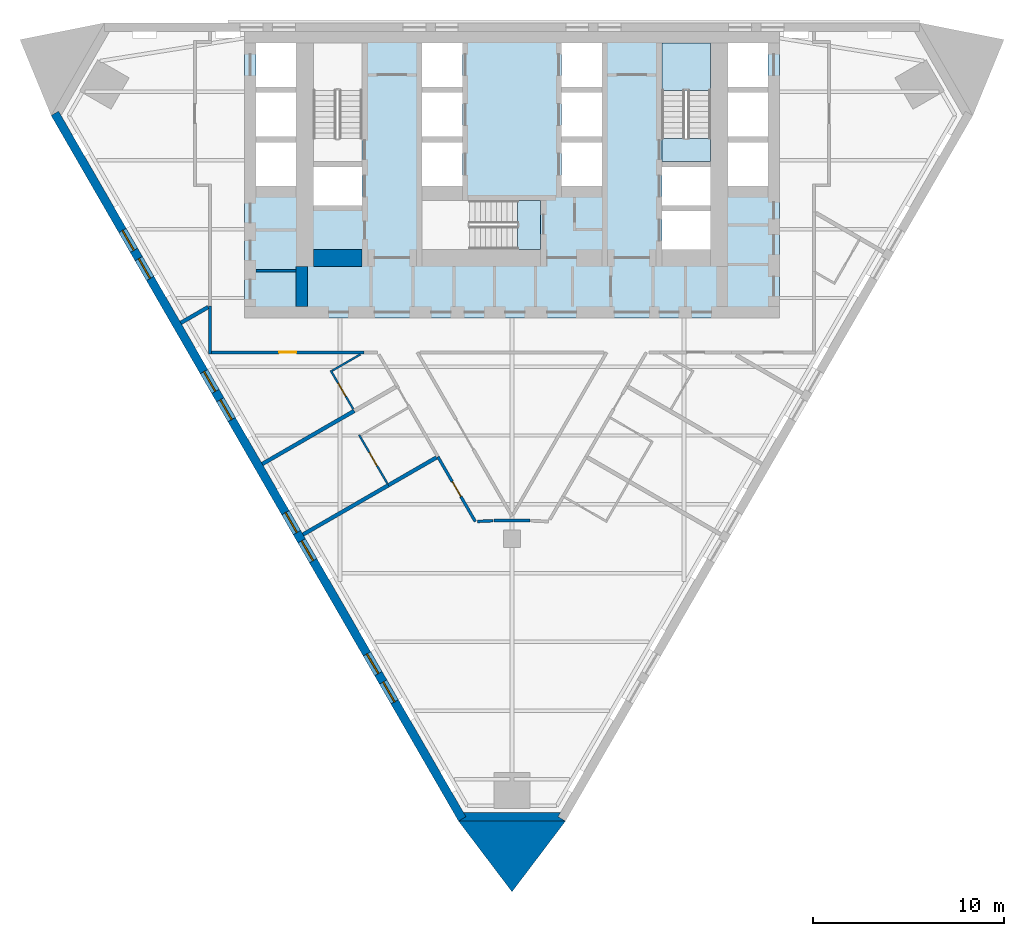
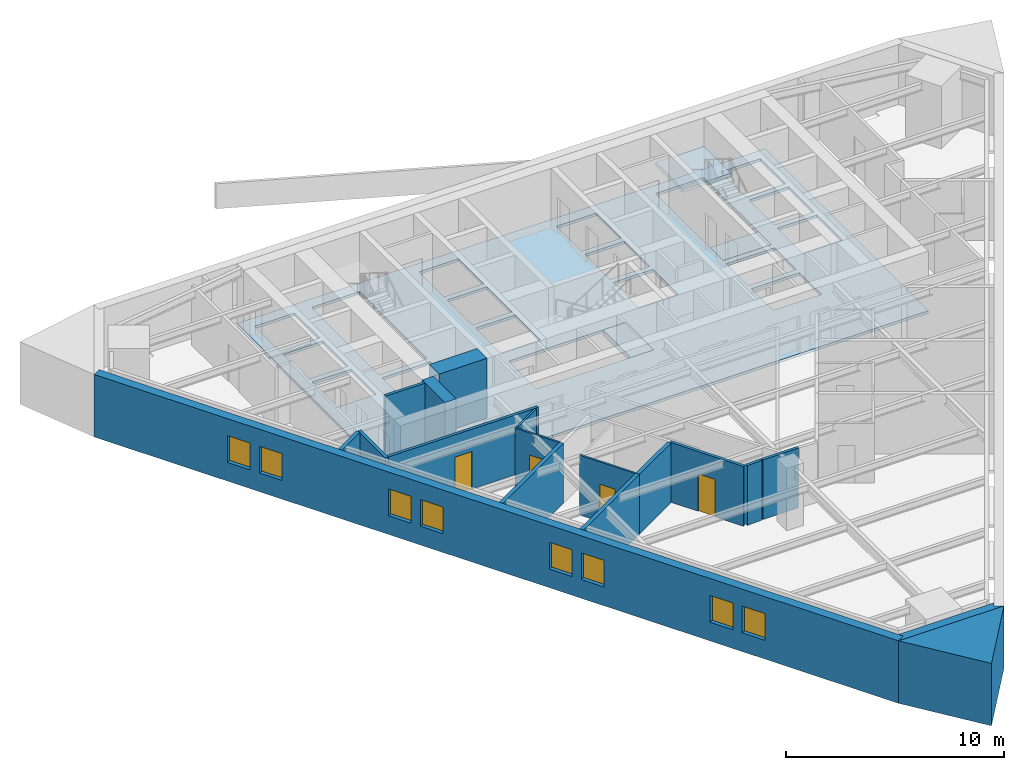
# One storey, part 2 of 10: 18 walls, 8 windows, 4 doors, 4 slabs, 12 openings, 1 element without a shape of its own.
"""IFC4 building model written with IfcOpenShell, lengths in metres."""

from ifc_helpers import new_model, si_unit, direction, frame, frame_2d, origin, place, context, subcontext, project, spatial, polyline, rectangle, outline, extrude, material, layer, layer_set, type_object, element, fill, aggregate, save


model = new_model("IFC4")

# Units and contexts
model_context = context("Model", 3, precision=1e-05, world=origin(), true_north=direction((0.0, 1.0)))
body_context = subcontext(model_context, "Body", "Model", "MODEL_VIEW")
ifc_project = project(units=[si_unit("LENGTHUNIT", "METRE"), si_unit("AREAUNIT", "SQUARE_METRE"), si_unit("VOLUMEUNIT", "CUBIC_METRE"), si_unit("PLANEANGLEUNIT", "RADIAN"), si_unit("MASSUNIT", "GRAM", prefix="KILO")], contexts=[model_context])

# Site, building, storey
site_placement = place(None, origin())
site = spatial("IfcSite", under=ifc_project, at=site_placement, CompositionType="ELEMENT")
building_placement = place(site_placement, origin())
building = spatial("IfcBuilding", under=site, at=building_placement, Name="Aloe Facet Convention Tower", CompositionType="ELEMENT")
storey_placement = place(building_placement, frame((0.0, 0.0, 85.300048828125)))
storey = spatial("IfcBuildingStorey", under=building, at=storey_placement, Name="L20", CompositionType="ELEMENT", Elevation=85.300048828125)

# Slabs
ifc_material_1 = material(Name="Concrete C70/85", Category="concrete")
ifc_layer_1 = layer(ifc_material_1, 0.14990234375)
ifc_layer_set_1 = layer_set([ifc_layer_1], Name="CR-S-FLOOR150-C7085")
slab_type_1 = type_object("IfcSlabType", Name="CR-S-FLOOR150-C7085", PredefinedType="FLOOR", material=ifc_layer_set_1)
slab_1_placement = place(storey_placement, frame((0.0, 0.0, -0.150146484375)))
element("IfcSlab", 1, at=slab_1_placement, inside=storey, type_object=slab_type_1, Name="Core floor L20", PredefinedType="FLOOR", context=body_context, shape_type="SweptSolid", body=[
    extrude(outline(polyline([(69.300048828125, 134.550048828125), (71.85009765625, 134.550048828125), (72.75, 134.550048828125), (74.699951171875, 134.550048828125), (75.60009765625, 134.550048828125), (77.10009765625, 134.550048828125), (78.0, 134.550048828125), (82.0, 134.550048828125), (82.89990234375, 134.550048828125), (84.39990234375, 134.550048828125), (85.300048828125, 134.550048828125), (87.25, 134.550048828125), (88.14990234375, 134.550048828125), (90.699951171875, 134.550048828125), (91.0, 134.550048828125), (94.0, 134.550048828125), (94.0, 131.949951171875), (94.0, 131.050048828125), (94.0, 129.35009765625), (94.0, 128.449951171875), (94.0, 126.449951171875), (94.0, 125.85009765625), (94.0, 124.949951171875), (94.0, 123.89990234375), (94.0, 122.871337890625), (94.0, 121.821533203125), (94.0, 119.550048828125), (91.300048828125, 119.550048828125), (90.699951171875, 119.550048828125), (89.60009765625, 119.550048828125), (88.550048828125, 119.550048828125), (87.89990234375, 119.550048828125), (86.85009765625, 119.550048828125), (85.699951171875, 119.550048828125), (84.64990234375, 119.550048828125), (83.699951171875, 119.550048828125), (82.64990234375, 119.550048828125), (81.75, 119.550048828125), (80.699951171875, 119.550048828125), (79.61669921875, 119.550048828125), (78.566650390625, 119.550048828125), (77.4833984375, 119.550048828125), (76.433349609375, 119.550048828125), (75.35009765625, 119.550048828125), (74.300048828125, 119.550048828125), (73.14990234375, 119.550048828125), (72.10009765625, 119.550048828125), (69.300048828125, 119.550048828125), (68.699951171875, 119.550048828125), (66.0, 119.550048828125), (66.0, 121.5), (66.0, 122.550048828125), (66.0, 123.639404296875), (66.0, 124.689453125), (66.0, 125.85009765625), (66.0, 126.449951171875), (66.0, 128.449951171875), (66.0, 129.35009765625), (66.0, 131.050048828125), (66.0, 131.949951171875), (66.0, 134.550048828125), (69.0, 134.550048828125), (69.300048828125, 134.550048828125)]), holes=[polyline([(75.300048828125, 123.14990234375), (80.298828125, 123.14990234375), (81.5, 123.14990234375), (81.5, 125.699951171875), (80.298828125, 125.699951171875), (75.300048828125, 125.699951171875), (75.300048828125, 123.14990234375)]), polyline([(69.60009765625, 125.449951171875), (72.14990234375, 125.449951171875), (72.14990234375, 127.449951171875), (69.60009765625, 127.449951171875), (69.60009765625, 125.449951171875)]), polyline([(66.60009765625, 126.449951171875), (68.699951171875, 126.449951171875), (68.699951171875, 128.75), (66.60009765625, 128.75), (66.60009765625, 126.449951171875)]), polyline([(75.300048828125, 126.449951171875), (77.39990234375, 126.449951171875), (77.39990234375, 128.75), (75.300048828125, 128.75), (75.300048828125, 126.449951171875)]), polyline([(66.60009765625, 129.050048828125), (68.699951171875, 129.050048828125), (68.699951171875, 131.35009765625), (66.60009765625, 131.35009765625), (66.60009765625, 129.050048828125)]), polyline([(75.300048828125, 129.050048828125), (77.39990234375, 129.050048828125), (77.39990234375, 131.35009765625), (75.300048828125, 131.35009765625), (75.300048828125, 129.050048828125)]), polyline([(69.60009765625, 133.949951171875), (69.60009765625, 128.951171875), (69.60009765625, 127.75), (72.14990234375, 127.75), (72.14990234375, 128.951171875), (72.14990234375, 133.949951171875), (69.60009765625, 133.949951171875)]), polyline([(66.60009765625, 133.949951171875), (66.60009765625, 131.64990234375), (68.699951171875, 131.64990234375), (68.699951171875, 133.949951171875), (66.60009765625, 133.949951171875)]), polyline([(75.300048828125, 133.949951171875), (75.300048828125, 131.64990234375), (77.39990234375, 131.64990234375), (77.39990234375, 133.949951171875), (75.300048828125, 133.949951171875)]), polyline([(87.85009765625, 123.14990234375), (90.39990234375, 123.14990234375), (90.39990234375, 125.14990234375), (87.85009765625, 125.14990234375), (87.85009765625, 123.14990234375)]), polyline([(87.85009765625, 125.449951171875), (90.39990234375, 125.449951171875), (90.39990234375, 127.449951171875), (87.85009765625, 127.449951171875), (87.85009765625, 125.449951171875)]), polyline([(82.60009765625, 126.449951171875), (84.699951171875, 126.449951171875), (84.699951171875, 128.75), (82.60009765625, 128.75), (82.60009765625, 126.449951171875)]), polyline([(91.300048828125, 126.449951171875), (93.39990234375, 126.449951171875), (93.39990234375, 128.75), (91.300048828125, 128.75), (91.300048828125, 126.449951171875)]), polyline([(82.60009765625, 129.050048828125), (84.699951171875, 129.050048828125), (84.699951171875, 131.35009765625), (82.60009765625, 131.35009765625), (82.60009765625, 129.050048828125)]), polyline([(91.300048828125, 129.050048828125), (93.39990234375, 129.050048828125), (93.39990234375, 131.35009765625), (91.300048828125, 131.35009765625), (91.300048828125, 129.050048828125)]), polyline([(87.85009765625, 133.949951171875), (87.85009765625, 128.951171875), (87.85009765625, 127.75), (90.39990234375, 127.75), (90.39990234375, 128.951171875), (90.39990234375, 133.949951171875), (87.85009765625, 133.949951171875)]), polyline([(82.60009765625, 133.949951171875), (82.60009765625, 131.64990234375), (84.699951171875, 131.64990234375), (84.699951171875, 133.949951171875), (82.60009765625, 133.949951171875)]), polyline([(91.300048828125, 133.949951171875), (91.300048828125, 131.64990234375), (93.39990234375, 131.64990234375), (93.39990234375, 133.949951171875), (91.300048828125, 133.949951171875)])]), origin(), (0.0, 0.0, 1.0), 0.150146484375),
])
ifc_material_2 = material(Name="Concrete C70/85", Category="concrete")
ifc_layer_2 = layer(ifc_material_2, 0.300048828125)
ifc_layer_set_2 = layer_set([ifc_layer_2], Name="CR-S-FLOOR300-C7085")
slab_type_2 = type_object("IfcSlabType", Name="CR-S-FLOOR300-C7085", PredefinedType="FLOOR", material=ifc_layer_set_2)
slab_2_placement = place(storey_placement, frame((0.0, 0.0, -0.300048828125)))
element("IfcSlab", 2, at=slab_2_placement, inside=storey, type_object=slab_type_2, Name="Stair landing floor L20", PredefinedType="FLOOR", context=body_context, shape_type="SweptSolid", body=[
    extrude(outline(polyline([(90.39990234375, 127.75), (90.39990234375, 128.951171875), (87.85009765625, 128.951171875), (87.85009765625, 127.75), (90.39990234375, 127.75)])), origin(), (0.0, 0.0, 1.0), 0.300048828125),
])
slab_3_placement = place(storey_placement, frame((0.0, 0.0, -0.300048828125)))
element("IfcSlab", 3, at=slab_3_placement, inside=storey, type_object=slab_type_2, Name="Stair landing floor L20", PredefinedType="FLOOR", context=body_context, shape_type="SweptSolid", body=[
    extrude(outline(polyline([(81.5, 125.699951171875), (80.298828125, 125.699951171875), (80.298828125, 123.14990234375), (81.5, 123.14990234375), (81.5, 125.699951171875)])), origin(), (0.0, 0.0, 1.0), 0.300048828125),
])

# Stair, slab
ifc_material_3 = material(Name="Concrete C50/60", Category="concrete")
stair_type = type_object("IfcStairType", Name="CR-ST-20R", PredefinedType="HALF_TURN_STAIR", material=ifc_material_3)
stair_placement = place(storey_placement, origin())
stair = element("IfcStair", 4, at=stair_placement, inside=storey, type_object=stair_type, Name="L20 Protected exit stair ST2", PredefinedType="HALF_TURN_STAIR")
ifc_material_4 = material(Name="Concrete C50/60", Category="concrete")
ifc_layer_3 = layer(ifc_material_4, 0.199951171875)
ifc_layer_set_3 = layer_set([ifc_layer_3], Name="CR-SL-LANDING")
slab_type_3 = type_object("IfcSlabType", Name="CR-SL-LANDING", PredefinedType="LANDING", material=ifc_layer_set_3)
slab_4_placement = place(storey_placement, frame((0.0, 0.0, 1.550048828125)))
slab_4 = element("IfcSlab", 5, at=slab_4_placement, type_object=slab_type_3, Name="ST2 landing 1", PredefinedType="LANDING", context=body_context, shape_type="SweptSolid", body=[
    extrude(outline(polyline([(90.39990234375, 131.469970703125), (90.39990234375, 133.949951171875), (87.85009765625, 133.949951171875), (87.85009765625, 131.469970703125), (90.39990234375, 131.469970703125)])), origin(), (0.0, 0.0, 1.0), 0.199951171875),
])
aggregate(stair, [slab_4])

# Walls
ifc_material_5 = material(Name="Concrete blockwork partition", Category="masonry")
ifc_layer_4 = layer(ifc_material_5, 0.14990234375)
ifc_layer_set_4 = layer_set([ifc_layer_4], Name="CR-W-PART150")
wall_type_1 = type_object("IfcWallType", Name="CR-W-PART150", PredefinedType="PARTITIONING", material=ifc_layer_set_4)
wall_1_placement = place(storey_placement, frame((66.60009765625, 122.02490234375, 0.0), z_axis=(0.0, 0.0, 1.0), x_axis=(1.0, 0.0, 0.0)))
element("IfcWall", 6, at=wall_1_placement, inside=storey, type_object=wall_type_1, Name="Core partition L20-008", PredefinedType="PARTITIONING", context=body_context, shape_type="SweptSolid", body=[
    extrude(rectangle(XDim=2.099853515625, YDim=0.14990234375, at=frame_2d((1.0498046875, 0.0))), origin(), (0.0, 0.0, 1.0), 3.349853515625),
])
ifc_material_6 = material(Name="Concrete C70/85", Category="concrete")
ifc_layer_5 = layer(ifc_material_6, 0.60009765625)
ifc_layer_set_5 = layer_set([ifc_layer_5], Name="CR-W-RC600-C7085")
wall_type_2 = type_object("IfcWallType", Name="CR-W-RC600-C7085", PredefinedType="SOLIDWALL", material=ifc_layer_set_5)
wall_2_placement = place(storey_placement, frame((69.0, 122.25, 0.0), z_axis=(0.0, 0.0, 1.0), x_axis=(0.0, -1.0, 0.0)))
element("IfcWall", 7, at=wall_2_placement, inside=storey, type_object=wall_type_2, Name="Core wall L20-010", PredefinedType="SOLIDWALL", context=body_context, shape_type="SweptSolid", body=[
    extrude(rectangle(XDim=2.10009765625, YDim=0.60009765625, at=frame_2d((1.050048828125, 0.0))), origin(), (0.0, 0.0, 1.0), 3.349853515625),
])
ifc_material_7 = material(Name="Concrete C70/85", Category="concrete")
ifc_layer_6 = layer(ifc_material_7, 0.89990234375)
ifc_layer_set_6 = layer_set([ifc_layer_6], Name="CR-W-RC900-C7085")
wall_type_3 = type_object("IfcWallType", Name="CR-W-RC900-C7085", PredefinedType="SOLIDWALL", material=ifc_layer_set_6)
wall_3_placement = place(storey_placement, frame((69.60009765625, 122.699951171875, 0.0), z_axis=(0.0, 0.0, 1.0), x_axis=(1.0, 0.0, 0.0)))
element("IfcWall", 8, at=wall_3_placement, inside=storey, type_object=wall_type_3, Name="Core wall L20-013", PredefinedType="SOLIDWALL", context=body_context, shape_type="SweptSolid", body=[
    extrude(rectangle(XDim=2.5498046875, YDim=0.89990234375, at=frame_2d((1.27490234375, 0.0))), origin(), (0.0, 0.0, 1.0), 3.349853515625),
])
ifc_material_8 = material(Name="Precast concrete C40/50", Category="concrete")
ifc_layer_7 = layer(ifc_material_8, 0.449951171875)
ifc_layer_set_7 = layer_set([ifc_layer_7], Name="EV-WALL-PIER")
wall_type_4 = type_object("IfcWallType", Name="EV-WALL-PIER", PredefinedType="SOLIDWALL", material=ifc_layer_set_7)
wall_4_placement = place(storey_placement, frame((0.0, 0.0, -0.150146484375)))
element("IfcWall", 9, at=wall_4_placement, inside=storey, type_object=wall_type_4, Name="EP-L20-B", PredefinedType="SOLIDWALL", context=body_context, shape_type="SweptSolid", body=[
    extrude(outline(polyline([(77.199951171875, 93.22021484375), (77.589599609375, 93.4453125), (77.459716796875, 93.670166015625), (82.540283203125, 93.670166015625), (82.410400390625, 93.4453125), (82.800048828125, 93.22021484375), (77.199951171875, 93.22021484375)])), origin(), (0.0, 0.0, 1.0), 3.5),
])
ifc_material_9 = material(Name="Precast concrete C40/50", Category="concrete")
ifc_layer_8 = layer(ifc_material_9, 3.947998046875)
ifc_layer_set_8 = layer_set([ifc_layer_8], Name="EV-WALL-SPINE")
wall_type_5 = type_object("IfcWallType", Name="EV-WALL-SPINE", PredefinedType="SOLIDWALL", material=ifc_layer_set_8)
wall_5_placement = place(storey_placement, frame((0.0, 0.0, -0.150146484375)))
element("IfcWall", 10, at=wall_5_placement, inside=storey, type_object=wall_type_5, Name="SP-S-L20", PredefinedType="SOLIDWALL", context=body_context, shape_type="SweptSolid", body=[
    extrude(outline(polyline([(77.199951171875, 93.22021484375), (80.0, 89.517822265625), (82.800048828125, 93.22021484375), (77.199951171875, 93.22021484375)])), origin(), (0.0, 0.0, 1.0), 3.5),
])

# Wall, openings, windows
ifc_material_10 = material(Name="Precast concrete C40/50", Category="concrete")
ifc_layer_9 = layer(ifc_material_10, 0.449951171875)
ifc_layer_set_9 = layer_set([ifc_layer_9], Name="EV-WALL-STONE")
wall_type_6 = type_object("IfcWallType", Name="EV-WALL-STONE", PredefinedType="SOLIDWALL", material=ifc_layer_set_9)
wall_6_placement = place(storey_placement, frame((56.0732421875, 130.2626953125, -0.150146484375), z_axis=(0.0, 0.0, 1.0), x_axis=(0.500000478905, -0.866025127289, 0.0)))
wall_6 = element("IfcWall", 11, at=wall_6_placement, inside=storey, type_object=wall_type_6, Name="EW-L20-W01", PredefinedType="SOLIDWALL", context=body_context, shape_type="SweptSolid", body=[
    extrude(outline(polyline([(42.64306640625, 0.0), (42.64306640625, 3.5), (0.0, 3.5), (0.0, 0.0), (42.64306640625, 0.0)])), frame((0.0, 0.22509765625, 0.0), z_axis=(0.0, -1.0, 0.0), x_axis=(1.0, 0.0, 0.0)), (0.0, 0.0, 1.0), 0.449951171875),
])
opening_1_placement = place(wall_6_placement, frame((7.07861328125, 0.0, 1.050048828125)))
opening_1 = element("IfcOpeningElement", 12, at=opening_1_placement, cuts=wall_6, Name="Opening W-L20-W01", PredefinedType="OPENING", context=body_context, shape_type="SweptSolid", body=[
    extrude(rectangle(XDim=1.199951171875, YDim=1.5, at=frame_2d((0.60009765625, 0.75))), frame((0.0, 0.23486328125, 0.0), z_axis=(0.0, -1.0, 0.0), x_axis=(1.0, 0.0, 0.0)), (0.0, 0.0, 1.0), 0.469970703125),
])
opening_2_placement = place(wall_6_placement, frame((8.778564453125, 0.0, 1.050048828125)))
opening_2 = element("IfcOpeningElement", 13, at=opening_2_placement, cuts=wall_6, Name="Opening W-L20-W02", PredefinedType="OPENING", context=body_context, shape_type="SweptSolid", body=[
    extrude(rectangle(XDim=1.199951171875, YDim=1.5, at=frame_2d((0.60009765625, 0.75))), frame((0.0, 0.23486328125, 0.0), z_axis=(0.0, -1.0, 0.0), x_axis=(1.0, 0.0, 0.0)), (0.0, 0.0, 1.0), 0.469970703125),
])
opening_3_placement = place(wall_6_placement, frame((15.607177734375, 0.0, 1.050048828125)))
opening_3 = element("IfcOpeningElement", 14, at=opening_3_placement, cuts=wall_6, Name="Opening W-L20-W03", PredefinedType="OPENING", context=body_context, shape_type="SweptSolid", body=[
    extrude(rectangle(XDim=1.199951171875, YDim=1.5, at=frame_2d((0.60009765625, 0.75))), frame((0.0, 0.23486328125, 0.0), z_axis=(0.0, -1.0, 0.0), x_axis=(1.0, 0.0, 0.0)), (0.0, 0.0, 1.0), 0.469970703125),
])
opening_4_placement = place(wall_6_placement, frame((17.30712890625, 0.0, 1.050048828125)))
opening_4 = element("IfcOpeningElement", 15, at=opening_4_placement, cuts=wall_6, Name="Opening W-L20-W04", PredefinedType="OPENING", context=body_context, shape_type="SweptSolid", body=[
    extrude(rectangle(XDim=1.199951171875, YDim=1.5, at=frame_2d((0.60009765625, 0.75))), frame((0.0, 0.23486328125, 0.0), z_axis=(0.0, -1.0, 0.0), x_axis=(1.0, 0.0, 0.0)), (0.0, 0.0, 1.0), 0.469970703125),
])
opening_5_placement = place(wall_6_placement, frame((24.1357421875, 0.0, 1.050048828125)))
opening_5 = element("IfcOpeningElement", 16, at=opening_5_placement, cuts=wall_6, Name="Opening W-L20-W05", PredefinedType="OPENING", context=body_context, shape_type="SweptSolid", body=[
    extrude(rectangle(XDim=1.199951171875, YDim=1.5, at=frame_2d((0.60009765625, 0.75))), frame((0.0, 0.23486328125, 0.0), z_axis=(0.0, -1.0, 0.0), x_axis=(1.0, 0.0, 0.0)), (0.0, 0.0, 1.0), 0.469970703125),
])
opening_6_placement = place(wall_6_placement, frame((25.8359375, 0.0, 1.050048828125)))
opening_6 = element("IfcOpeningElement", 17, at=opening_6_placement, cuts=wall_6, Name="Opening W-L20-W06", PredefinedType="OPENING", context=body_context, shape_type="SweptSolid", body=[
    extrude(rectangle(XDim=1.199951171875, YDim=1.5, at=frame_2d((0.60009765625, 0.75))), frame((0.0, 0.23486328125, 0.0), z_axis=(0.0, -1.0, 0.0), x_axis=(1.0, 0.0, 0.0)), (0.0, 0.0, 1.0), 0.469970703125),
])
opening_7_placement = place(wall_6_placement, frame((32.66455078125, 0.0, 1.050048828125)))
opening_7 = element("IfcOpeningElement", 18, at=opening_7_placement, cuts=wall_6, Name="Opening W-L20-W07", PredefinedType="OPENING", context=body_context, shape_type="SweptSolid", body=[
    extrude(rectangle(XDim=1.199951171875, YDim=1.5, at=frame_2d((0.60009765625, 0.75))), frame((0.0, 0.23486328125, 0.0), z_axis=(0.0, -1.0, 0.0), x_axis=(1.0, 0.0, 0.0)), (0.0, 0.0, 1.0), 0.469970703125),
])
opening_8_placement = place(wall_6_placement, frame((34.364501953125, 0.0, 1.050048828125)))
opening_8 = element("IfcOpeningElement", 19, at=opening_8_placement, cuts=wall_6, Name="Opening W-L20-W08", PredefinedType="OPENING", context=body_context, shape_type="SweptSolid", body=[
    extrude(rectangle(XDim=1.199951171875, YDim=1.5, at=frame_2d((0.60009765625, 0.75))), frame((0.0, 0.23486328125, 0.0), z_axis=(0.0, -1.0, 0.0), x_axis=(1.0, 0.0, 0.0)), (0.0, 0.0, 1.0), 0.469970703125),
])
ifc_material_11 = material(Name="Aluminium frame, clear double glazing", Category="aluminium")
window_type = type_object("IfcWindowType", Name="EV-WIN-H12", PartitioningType="SINGLE_PANEL", PredefinedType="WINDOW", material=ifc_material_11)
window_1_placement = place(opening_1_placement, origin())
window_1 = element("IfcWindow", 20, at=window_1_placement, inside=storey, type_object=window_type, Name="W-L20-W01", OverallHeight=1.5, OverallWidth=1.199951171875, PartitioningType="SINGLE_PANEL", PredefinedType="WINDOW", context=body_context, shape_type="SweptSolid", body=[
    extrude(rectangle(XDim=1.199951171875, YDim=1.5, at=frame_2d((0.60009765625, 0.75))), frame((0.0, 0.030029296875, 0.0), z_axis=(0.0, -1.0, 0.0), x_axis=(1.0, 0.0, 0.0)), (0.0, 0.0, 1.0), 0.06005859375),
])
fill(opening_1, window_1)
window_2_placement = place(opening_2_placement, origin())
window_2 = element("IfcWindow", 21, at=window_2_placement, inside=storey, type_object=window_type, Name="W-L20-W02", OverallHeight=1.5, OverallWidth=1.199951171875, PartitioningType="SINGLE_PANEL", PredefinedType="WINDOW", context=body_context, shape_type="SweptSolid", body=[
    extrude(rectangle(XDim=1.199951171875, YDim=1.5, at=frame_2d((0.60009765625, 0.75))), frame((0.0, 0.030029296875, 0.0), z_axis=(0.0, -1.0, 0.0), x_axis=(1.0, 0.0, 0.0)), (0.0, 0.0, 1.0), 0.06005859375),
])
fill(opening_2, window_2)
window_3_placement = place(opening_3_placement, origin())
window_3 = element("IfcWindow", 22, at=window_3_placement, inside=storey, type_object=window_type, Name="W-L20-W03", OverallHeight=1.5, OverallWidth=1.199951171875, PartitioningType="SINGLE_PANEL", PredefinedType="WINDOW", context=body_context, shape_type="SweptSolid", body=[
    extrude(rectangle(XDim=1.199951171875, YDim=1.5, at=frame_2d((0.60009765625, 0.75))), frame((0.0, 0.030029296875, 0.0), z_axis=(0.0, -1.0, 0.0), x_axis=(1.0, 0.0, 0.0)), (0.0, 0.0, 1.0), 0.06005859375),
])
fill(opening_3, window_3)
window_4_placement = place(opening_4_placement, origin())
window_4 = element("IfcWindow", 23, at=window_4_placement, inside=storey, type_object=window_type, Name="W-L20-W04", OverallHeight=1.5, OverallWidth=1.199951171875, PartitioningType="SINGLE_PANEL", PredefinedType="WINDOW", context=body_context, shape_type="SweptSolid", body=[
    extrude(rectangle(XDim=1.199951171875, YDim=1.5, at=frame_2d((0.60009765625, 0.75))), frame((0.0, 0.030029296875, 0.0), z_axis=(0.0, -1.0, 0.0), x_axis=(1.0, 0.0, 0.0)), (0.0, 0.0, 1.0), 0.06005859375),
])
fill(opening_4, window_4)
window_5_placement = place(opening_5_placement, origin())
window_5 = element("IfcWindow", 24, at=window_5_placement, inside=storey, type_object=window_type, Name="W-L20-W05", OverallHeight=1.5, OverallWidth=1.199951171875, PartitioningType="SINGLE_PANEL", PredefinedType="WINDOW", context=body_context, shape_type="SweptSolid", body=[
    extrude(rectangle(XDim=1.199951171875, YDim=1.5, at=frame_2d((0.60009765625, 0.75))), frame((0.0, 0.030029296875, 0.0), z_axis=(0.0, -1.0, 0.0), x_axis=(1.0, 0.0, 0.0)), (0.0, 0.0, 1.0), 0.06005859375),
])
fill(opening_5, window_5)
window_6_placement = place(opening_6_placement, origin())
window_6 = element("IfcWindow", 25, at=window_6_placement, inside=storey, type_object=window_type, Name="W-L20-W06", OverallHeight=1.5, OverallWidth=1.199951171875, PartitioningType="SINGLE_PANEL", PredefinedType="WINDOW", context=body_context, shape_type="SweptSolid", body=[
    extrude(rectangle(XDim=1.199951171875, YDim=1.5, at=frame_2d((0.60009765625, 0.75))), frame((0.0, 0.030029296875, 0.0), z_axis=(0.0, -1.0, 0.0), x_axis=(1.0, 0.0, 0.0)), (0.0, 0.0, 1.0), 0.06005859375),
])
fill(opening_6, window_6)
window_7_placement = place(opening_7_placement, origin())
window_7 = element("IfcWindow", 26, at=window_7_placement, inside=storey, type_object=window_type, Name="W-L20-W07", OverallHeight=1.5, OverallWidth=1.199951171875, PartitioningType="SINGLE_PANEL", PredefinedType="WINDOW", context=body_context, shape_type="SweptSolid", body=[
    extrude(rectangle(XDim=1.199951171875, YDim=1.5, at=frame_2d((0.60009765625, 0.75))), frame((0.0, 0.030029296875, 0.0), z_axis=(0.0, -1.0, 0.0), x_axis=(1.0, 0.0, 0.0)), (0.0, 0.0, 1.0), 0.06005859375),
])
fill(opening_7, window_7)
window_8_placement = place(opening_8_placement, origin())
window_8 = element("IfcWindow", 27, at=window_8_placement, inside=storey, type_object=window_type, Name="W-L20-W08", OverallHeight=1.5, OverallWidth=1.199951171875, PartitioningType="SINGLE_PANEL", PredefinedType="WINDOW", context=body_context, shape_type="SweptSolid", body=[
    extrude(rectangle(XDim=1.199951171875, YDim=1.5, at=frame_2d((0.60009765625, 0.75))), frame((0.0, 0.030029296875, 0.0), z_axis=(0.0, -1.0, 0.0), x_axis=(1.0, 0.0, 0.0)), (0.0, 0.0, 1.0), 0.06005859375),
])
fill(opening_8, window_8)

# Wall, opening, door
ifc_material_12 = material(Name="Gypsum board partition on steel studs", Category="steel")
ifc_layer_10 = layer(ifc_material_12, 0.14990234375)
ifc_layer_set_10 = layer_set([ifc_layer_10], Name="IN-W-CORR")
wall_type_7 = type_object("IfcWallType", Name="IN-W-CORR", PredefinedType="PARTITIONING", material=ifc_layer_set_10)
wall_7_placement = place(storey_placement, frame((76.119140625, 112.292236328125, 0.0), z_axis=(0.0, 0.0, 1.0), x_axis=(0.50006385284, -0.865988535192, 0.0)))
wall_7 = element("IfcWall", 28, at=wall_7_placement, inside=storey, type_object=wall_type_7, Name="Partition L20-W003", PredefinedType="PARTITIONING", context=body_context, shape_type="SweptSolid", body=[
    extrude(rectangle(XDim=3.92041015625, YDim=0.14990234375, at=frame_2d((1.960205078125, 0.0))), origin(), (0.0, 0.0, 1.0), 3.349853515625),
])
opening_9_placement = place(wall_7_placement, frame((1.51025390625, 0.0, 0.0)))
opening_9 = element("IfcOpeningElement", 29, at=opening_9_placement, cuts=wall_7, Name="Opening L20-003", PredefinedType="OPENING", context=body_context, shape_type="SweptSolid", body=[
    extrude(rectangle(XDim=0.89990234375, YDim=2.10009765625, at=frame_2d((0.449951171875, 1.050048828125))), frame((0.0, 0.0849609375, 0.0), z_axis=(0.0, -1.0, 0.0), x_axis=(1.0, 0.0, 0.0)), (0.0, 0.0, 1.0), 0.169921875),
])
ifc_material_13 = material(Name="Hardwood flush door FD30S", Category="wood")
door_type_1 = type_object("IfcDoorType", Name="IN-D-GUEST", OperationType="SINGLE_SWING_LEFT", PredefinedType="DOOR", material=ifc_material_13)
door_1_placement = place(opening_9_placement, origin())
door_1 = element("IfcDoor", 30, at=door_1_placement, inside=storey, type_object=door_type_1, Name="Door L20-003", OperationType="SINGLE_SWING_LEFT", OverallHeight=2.10009765625, OverallWidth=0.89990234375, PredefinedType="DOOR", context=body_context, shape_type="SweptSolid", body=[
    extrude(rectangle(XDim=0.89990234375, YDim=2.10009765625, at=frame_2d((0.449951171875, 1.050048828125))), frame((0.0, 0.02490234375, 0.0), z_axis=(0.0, -1.0, 0.0), x_axis=(1.0, 0.0, 0.0)), (0.0, 0.0, 1.0), 0.050048828125),
])
fill(opening_9, door_1)

# Walls
wall_8_placement = place(storey_placement, frame((78.202392578125, 108.9033203125, 0.0), z_axis=(0.0, 0.0, 1.0), x_axis=(0.99878643161, 0.049251030778, 0.0)))
element("IfcWall", 31, at=wall_8_placement, inside=storey, type_object=wall_type_7, Name="Partition L20-W006", PredefinedType="PARTITIONING", context=body_context, shape_type="SweptSolid", body=[
    extrude(rectangle(XDim=0.798095703125, YDim=0.14990234375, at=frame_2d((0.39892578125, 0.0))), origin(), (0.0, 0.0, 1.0), 3.349853515625),
])
wall_9_placement = place(storey_placement, frame((79.050048828125, 108.949951171875, 0.0), z_axis=(0.0, 0.0, 1.0), x_axis=(1.0, 0.0, 0.0)))
element("IfcWall", 32, at=wall_9_placement, inside=storey, type_object=wall_type_7, Name="Partition L20-W009", PredefinedType="PARTITIONING", context=body_context, shape_type="SweptSolid", body=[
    extrude(rectangle(XDim=1.89990234375, YDim=0.14990234375, at=frame_2d((0.949951171875, 0.0))), origin(), (0.0, 0.0, 1.0), 3.349853515625),
])
wall_10_placement = place(storey_placement, frame((64.199951171875, 117.675048828125, 0.0), z_axis=(0.0, 0.0, 1.0), x_axis=(0.0, 1.0, 0.0)))
element("IfcWall", 33, at=wall_10_placement, inside=storey, type_object=wall_type_7, Name="Partition L20-W037", PredefinedType="PARTITIONING", context=body_context, shape_type="SweptSolid", body=[
    extrude(rectangle(XDim=2.507568359375, YDim=0.14990234375, at=frame_2d((1.25390625, 0.0))), origin(), (0.0, 0.0, 1.0), 3.349853515625),
])

# Wall, opening, door
wall_11_placement = place(storey_placement, frame((64.27490234375, 117.75, 0.0), z_axis=(0.0, 0.0, 1.0), x_axis=(1.0, 0.0, 0.0)))
wall_11 = element("IfcWall", 34, at=wall_11_placement, inside=storey, type_object=wall_type_7, Name="Partition L20-W039", PredefinedType="PARTITIONING", context=body_context, shape_type="SweptSolid", body=[
    extrude(rectangle(XDim=7.96875, YDim=0.14990234375, at=frame_2d((3.984375, 0.0))), origin(), (0.0, 0.0, 1.0), 3.349853515625),
])
opening_10_placement = place(wall_11_placement, frame((3.534423828125, 0.0, 0.0)))
opening_10 = element("IfcOpeningElement", 35, at=opening_10_placement, cuts=wall_11, Name="Opening L20-001", PredefinedType="OPENING", context=body_context, shape_type="SweptSolid", body=[
    extrude(rectangle(XDim=0.89990234375, YDim=2.10009765625, at=frame_2d((0.449951171875, 1.050048828125))), frame((0.0, 0.0849609375, 0.0), z_axis=(0.0, -1.0, 0.0), x_axis=(1.0, 0.0, 0.0)), (0.0, 0.0, 1.0), 0.169921875),
])
door_2_placement = place(opening_10_placement, origin())
door_2 = element("IfcDoor", 36, at=door_2_placement, inside=storey, type_object=door_type_1, Name="Door L20-001", OperationType="SINGLE_SWING_LEFT", OverallHeight=2.10009765625, OverallWidth=0.89990234375, PredefinedType="DOOR", context=body_context, shape_type="SweptSolid", body=[
    extrude(rectangle(XDim=0.89990234375, YDim=2.10009765625, at=frame_2d((0.449951171875, 1.050048828125))), frame((0.0, 0.02490234375, 0.0), z_axis=(0.0, -1.0, 0.0), x_axis=(1.0, 0.0, 0.0)), (0.0, 0.0, 1.0), 0.050048828125),
])
fill(opening_10, door_2)

ifc_material_14 = material(Name="Gypsum board partition on steel studs", Category="steel")
ifc_layer_11 = layer(ifc_material_14, 0.10009765625)
ifc_layer_set_11 = layer_set([ifc_layer_11], Name="IN-W-PART")
wall_type_8 = type_object("IfcWallType", Name="IN-W-PART", PredefinedType="PARTITIONING", material=ifc_layer_set_11)
wall_12_placement = place(storey_placement, frame((71.99609375, 113.43359375, 0.0), z_axis=(0.0, 0.0, 1.0), x_axis=(0.50282251156, -0.864389681723, 0.0)))
wall_12 = element("IfcWall", 37, at=wall_12_placement, inside=storey, type_object=wall_type_8, Name="Partition L20-W012", PredefinedType="PARTITIONING", context=body_context, shape_type="SweptSolid", body=[
    extrude(rectangle(XDim=2.93994140625, YDim=0.10009765625, at=frame_2d((1.469970703125, 0.0))), origin(), (0.0, 0.0, 1.0), 3.349853515625),
])
opening_11_placement = place(wall_12_placement, frame((1.070068359375, 0.0, 0.0)))
opening_11 = element("IfcOpeningElement", 38, at=opening_11_placement, cuts=wall_12, Name="Opening L20-011", PredefinedType="OPENING", context=body_context, shape_type="SweptSolid", body=[
    extrude(rectangle(XDim=0.800048828125, YDim=2.10009765625, at=frame_2d((0.39990234375, 1.050048828125))), frame((0.0, 0.06005859375, 0.0), z_axis=(0.0, -1.0, 0.0), x_axis=(1.0, 0.0, 0.0)), (0.0, 0.0, 1.0), 0.1201171875),
])
ifc_material_15 = material(Name="Timber flush door", Category="wood")
door_type_2 = type_object("IfcDoorType", Name="IN-D-BATH", OperationType="SINGLE_SWING_LEFT", PredefinedType="DOOR", material=ifc_material_15)
door_3_placement = place(opening_11_placement, origin())
door_3 = element("IfcDoor", 39, at=door_3_placement, inside=storey, type_object=door_type_2, Name="Door L20-011", OperationType="SINGLE_SWING_LEFT", OverallHeight=2.10009765625, OverallWidth=0.800048828125, PredefinedType="DOOR", context=body_context, shape_type="SweptSolid", body=[
    extrude(rectangle(XDim=0.800048828125, YDim=2.10009765625, at=frame_2d((0.39990234375, 1.050048828125))), frame((0.0, 0.02490234375, 0.0), z_axis=(0.0, -1.0, 0.0), x_axis=(1.0, 0.0, 0.0)), (0.0, 0.0, 1.0), 0.050048828125),
])
fill(opening_11, door_3)

wall_13_placement = place(storey_placement, frame((70.51025390625, 116.806884765625, 0.0), z_axis=(0.0, 0.0, 1.0), x_axis=(0.503637463939, -0.863915102841, 0.0)))
wall_13 = element("IfcWall", 40, at=wall_13_placement, inside=storey, type_object=wall_type_8, Name="Partition L20-W025", PredefinedType="PARTITIONING", context=body_context, shape_type="SweptSolid", body=[
    extrude(rectangle(XDim=2.33984375, YDim=0.10009765625, at=frame_2d((1.169921875, 0.0))), origin(), (0.0, 0.0, 1.0), 3.349853515625),
])
opening_12_placement = place(wall_13_placement, frame((0.77001953125, 0.0, 0.0)))
opening_12 = element("IfcOpeningElement", 41, at=opening_12_placement, cuts=wall_13, Name="Opening L20-010", PredefinedType="OPENING", context=body_context, shape_type="SweptSolid", body=[
    extrude(rectangle(XDim=0.800048828125, YDim=2.10009765625, at=frame_2d((0.39990234375, 1.050048828125))), frame((0.0, 0.06005859375, 0.0), z_axis=(0.0, -1.0, 0.0), x_axis=(1.0, 0.0, 0.0)), (0.0, 0.0, 1.0), 0.1201171875),
])
door_4_placement = place(opening_12_placement, origin())
door_4 = element("IfcDoor", 42, at=door_4_placement, inside=storey, type_object=door_type_2, Name="Door L20-010", OperationType="SINGLE_SWING_LEFT", OverallHeight=2.10009765625, OverallWidth=0.800048828125, PredefinedType="DOOR", context=body_context, shape_type="SweptSolid", body=[
    extrude(rectangle(XDim=0.800048828125, YDim=2.10009765625, at=frame_2d((0.39990234375, 1.050048828125))), frame((0.0, 0.02490234375, 0.0), z_axis=(0.0, -1.0, 0.0), x_axis=(1.0, 0.0, 0.0)), (0.0, 0.0, 1.0), 0.050048828125),
])
fill(opening_12, door_4)

# Walls
wall_14_placement = place(storey_placement, frame((70.58740234375, 116.793701171875, 0.0), z_axis=(0.0, 0.0, 1.0), x_axis=(0.866026058841, 0.499998865407, 0.0)))
element("IfcWall", 43, at=wall_14_placement, inside=storey, type_object=wall_type_8, Name="Partition L20-W035", PredefinedType="PARTITIONING", context=body_context, shape_type="SweptSolid", body=[
    extrude(rectangle(XDim=1.70751953125, YDim=0.10009765625, at=frame_2d((0.853759765625, 0.0))), origin(), (0.0, 0.0, 1.0), 3.349853515625),
])
ifc_material_16 = material(Name="Gypsum board partition on steel studs", Category="steel")
ifc_layer_12 = layer(ifc_material_16, 0.199951171875)
ifc_layer_set_12 = layer_set([ifc_layer_12], Name="IN-W-PARTY")
wall_type_9 = type_object("IfcWallType", Name="IN-W-PARTY", PredefinedType="PARTITIONING", material=ifc_layer_set_12)
wall_15_placement = place(storey_placement, frame((69.06103515625, 108.21728515625, 0.0), z_axis=(0.0, 0.0, 1.0), x_axis=(0.866021702275, 0.500006411147, 0.0)))
element("IfcWall", 44, at=wall_15_placement, inside=storey, type_object=wall_type_9, Name="Partition L20-W001", PredefinedType="PARTITIONING", context=body_context, shape_type="SweptSolid", body=[
    extrude(rectangle(XDim=5.16015625, YDim=0.199951171875, at=frame_2d((2.580078125, 0.0))), origin(), (0.0, 0.0, 1.0), 3.349853515625),
])
wall_16_placement = place(storey_placement, frame((66.928955078125, 111.91015625, 0.0), z_axis=(0.0, 0.0, 1.0), x_axis=(0.866026912667, 0.49999738653, 0.0)))
element("IfcWall", 45, at=wall_16_placement, inside=storey, type_object=wall_type_9, Name="Partition L20-W016", PredefinedType="PARTITIONING", context=body_context, shape_type="SweptSolid", body=[
    extrude(rectangle(XDim=5.56005859375, YDim=0.199951171875, at=frame_2d((2.780029296875, 0.0))), origin(), (0.0, 0.0, 1.0), 3.349853515625),
])
wall_17_placement = place(storey_placement, frame((73.52978515625, 110.79736328125, 0.0), z_axis=(0.0, 0.0, 1.0), x_axis=(0.866047038303, 0.499962526042, 0.0)))
element("IfcWall", 46, at=wall_17_placement, inside=storey, type_object=wall_type_9, Name="Partition L20-W018", PredefinedType="PARTITIONING", context=body_context, shape_type="SweptSolid", body=[
    extrude(rectangle(XDim=2.905029296875, YDim=0.199951171875, at=frame_2d((1.45263671875, 0.0))), origin(), (0.0, 0.0, 1.0), 3.349853515625),
])
wall_18_placement = place(storey_placement, frame((62.66455078125, 119.29638671875, 0.0), z_axis=(0.0, 0.0, 1.0), x_axis=(0.866101713734, 0.499867803992, 0.0)))
element("IfcWall", 47, at=wall_18_placement, inside=storey, type_object=wall_type_9, Name="Partition L20-W048", PredefinedType="PARTITIONING", context=body_context, shape_type="SweptSolid", body=[
    extrude(rectangle(XDim=1.64794921875, YDim=0.199951171875, at=frame_2d((0.823974609375, 0.0))), origin(), (0.0, 0.0, 1.0), 3.349853515625),
])

save(model, "model.ifc")
